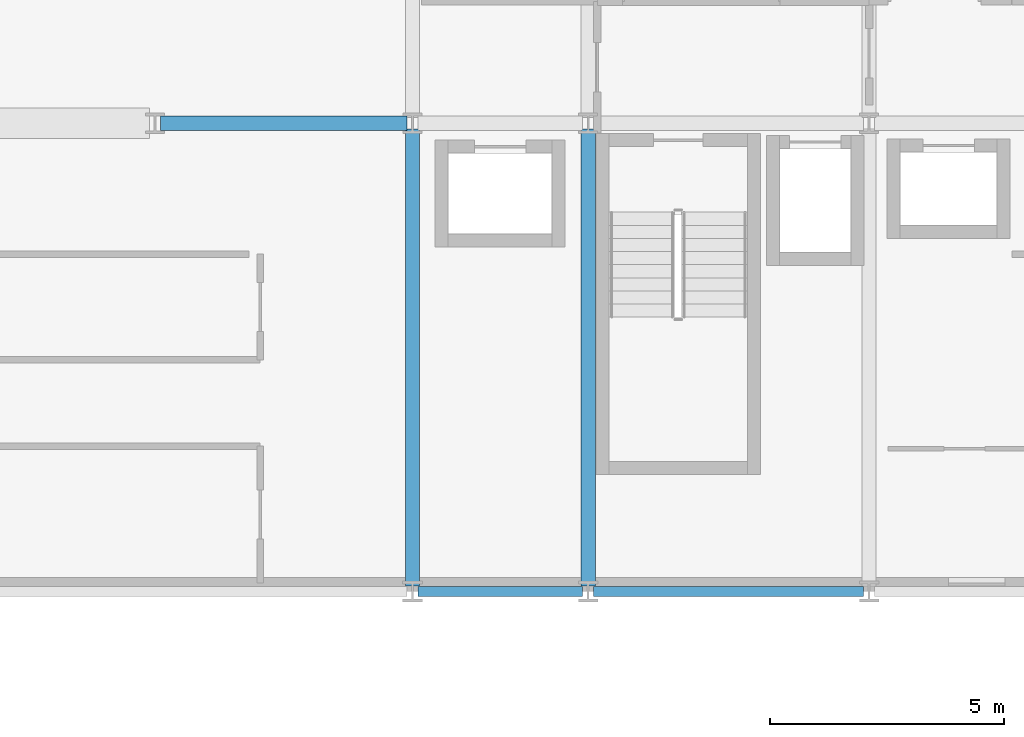
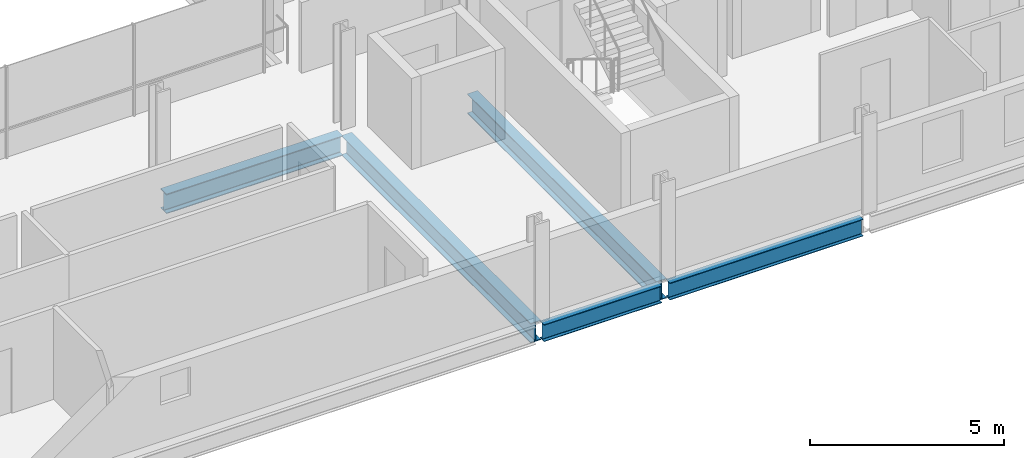
# One storey, part 12 of 41: 5 beams.
"""IFC4 building model written with IfcOpenShell, lengths in metres."""

from ifc_helpers import new_model, si_unit, direction, frame, origin, origin_2d, place, context, subcontext, project, spatial, i_section, extrude, material, material_profile, profile_set, type_object, element, save


model = new_model("IFC4")

# Units and contexts
model_context = context("Model", 3, precision=1e-05, world=origin(), true_north=direction((0.0, 1.0)))
body_context = subcontext(model_context, "Body", "Model", "MODEL_VIEW")
ifc_project = project(units=[si_unit("LENGTHUNIT", "METRE"), si_unit("AREAUNIT", "SQUARE_METRE"), si_unit("VOLUMEUNIT", "CUBIC_METRE"), si_unit("PLANEANGLEUNIT", "RADIAN"), si_unit("MASSUNIT", "GRAM", prefix="KILO")], contexts=[model_context])

# Site, building, storey
site_placement = place(None, origin())
site = spatial("IfcSite", under=ifc_project, at=site_placement, CompositionType="ELEMENT")
building_placement = place(site_placement, origin())
building = spatial("IfcBuilding", under=site, at=building_placement, Name="Brevholm Reach", CompositionType="ELEMENT")
storey_placement = place(building_placement, frame((0.0, 0.0, 68.300048828125)))
storey = spatial("IfcBuildingStorey", under=building, at=storey_placement, Name="L19", CompositionType="ELEMENT", Elevation=68.300048828125)

# Beams
ifc_material_1 = material(Name="Structural Steel S355J2", Category="steel")
ifc_material_profile_1 = material_profile(ifc_material_1, i_section(OverallWidth=0.210693359375, OverallDepth=0.53955078125, WebThickness=0.01171875, FlangeThickness=0.018798828125, FilletRadius=0.0126953125, at=origin_2d()), Name="UKB 533x210x109")
ifc_profile_set_1 = profile_set([ifc_material_profile_1], Name="Structural Steel S355J2")
beam_type_1 = type_object("IfcBeamType", Name="BM-SP539", PredefinedType="SPANDREL", material=ifc_profile_set_1)
beam_1_placement = place(storey_placement, frame((38.3701171875, 0.0, -0.499755859375), z_axis=(1.0, 0.0, 0.0), x_axis=(0.0, 1.0, 0.0)))
element("IfcBeam", 1, at=beam_1_placement, inside=storey, type_object=beam_type_1, Name="L19 SP-01B Framing Beam", PredefinedType="SPANDREL", context=body_context, shape_type="SweptSolid", body=[
    extrude(i_section(OverallWidth=0.210693359375, OverallDepth=0.53955078125, WebThickness=0.01171875, FlangeThickness=0.018798828125, FilletRadius=0.0126953125, at=origin_2d()), origin(), (0.0, 0.0, 1.0), 3.509765625),
])
beam_2_placement = place(storey_placement, frame((42.1201171875, 0.0, -0.499755859375), z_axis=(1.0, 0.0, 0.0), x_axis=(0.0, 1.0, 0.0)))
element("IfcBeam", 2, at=beam_2_placement, inside=storey, type_object=beam_type_1, Name="L19 SP-01B Framing Beam", PredefinedType="SPANDREL", context=body_context, shape_type="SweptSolid", body=[
    extrude(i_section(OverallWidth=0.210693359375, OverallDepth=0.53955078125, WebThickness=0.01171875, FlangeThickness=0.018798828125, FilletRadius=0.0126953125, at=origin_2d()), origin(), (0.0, 0.0, 1.0), 5.759765625),
])
ifc_material_2 = material(Name="Structural Steel S355J2", Category="steel")
ifc_material_profile_2 = material_profile(ifc_material_2, i_section(OverallWidth=0.30712890625, OverallDepth=0.6201171875, WebThickness=0.01416015625, FlangeThickness=0.023681640625, FilletRadius=0.0166015625, at=origin_2d()), Name="UKB 610x305x179")
ifc_profile_set_2 = profile_set([ifc_material_profile_2], Name="Structural Steel S355J2")
beam_type_2 = type_object("IfcBeamType", Name="BM-UKB610H", PredefinedType="USERDEFINED", material=ifc_profile_set_2)
beam_3_placement = place(storey_placement, frame((32.8701171875, 10.0, -0.5400390625), z_axis=(1.0, 0.0, 0.0), x_axis=(0.0, 1.0, 0.0)))
element("IfcBeam", 3, at=beam_3_placement, inside=storey, type_object=beam_type_2, Name="L19 G-06 Framing Beam", ObjectType="GIRDER", PredefinedType="USERDEFINED", context=body_context, shape_type="SweptSolid", body=[
    extrude(i_section(OverallWidth=0.30712890625, OverallDepth=0.6201171875, WebThickness=0.01416015625, FlangeThickness=0.023681640625, FilletRadius=0.0166015625, at=origin_2d()), origin(), (0.0, 0.0, 1.0), 5.259765625),
])
for number, where, z_axis, x_axis, name in (
    (4, (38.25, 0.1201171875, -0.5400390625), (0.0, 1.0, 0.0), (-1.0, 0.0, 0.0), "L19 G-06 Framing Beam"),
    (5, (42.0, 0.1201171875, -0.5400390625), (0.0, 1.0, 0.0), (-1.0, 0.0, 0.0), "L19 G-06 Framing Beam"),
):
    element("IfcBeam", number, at=place(storey_placement, frame(where, z_axis=z_axis, x_axis=x_axis)), inside=storey, type_object=beam_type_2, Name=name, ObjectType="GIRDER", PredefinedType="USERDEFINED", context=body_context, shape_type="SweptSolid", body=[
        extrude(i_section(OverallWidth=0.30712890625, OverallDepth=0.6201171875, WebThickness=0.01416015625, FlangeThickness=0.023681640625, FilletRadius=0.0166015625, at=origin_2d()), origin(), (0.0, 0.0, 1.0), 9.759765625),
    ])

save(model, "model.ifc")
